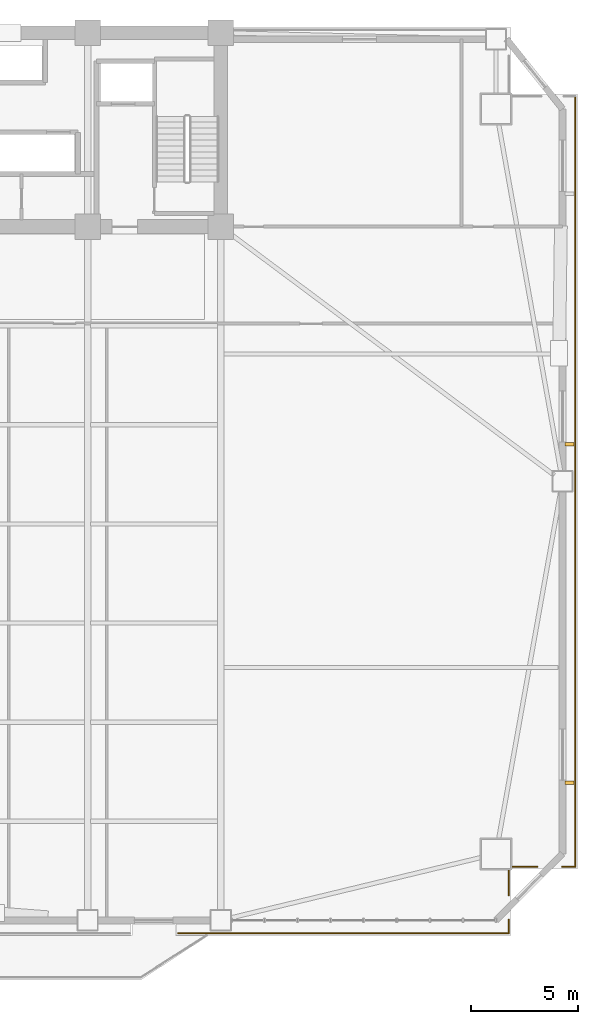
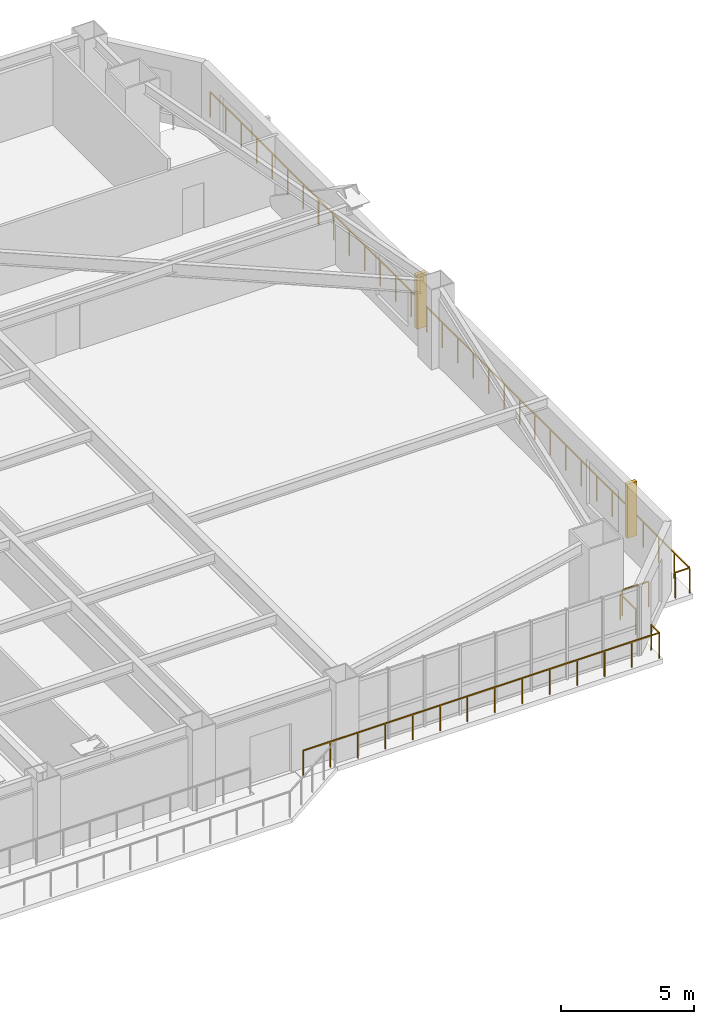
# One storey, part 15 of 18: 6 railings, 2 shading devices.
"""IFC4 building model written with IfcOpenShell, lengths in metres."""

from ifc_helpers import new_model, si_unit, direction, frame, origin, origin_2d, place, context, subcontext, project, spatial, rectangle, extrude, source, transform, mapped, material, type_object, element, save


model = new_model("IFC4")

# Units and contexts
model_context = context("Model", 3, precision=1e-05, world=origin(), true_north=direction((0.0, 1.0)))
body_context = subcontext(model_context, "Body", "Model", "MODEL_VIEW")
ifc_project = project(units=[si_unit("LENGTHUNIT", "METRE"), si_unit("AREAUNIT", "SQUARE_METRE"), si_unit("VOLUMEUNIT", "CUBIC_METRE"), si_unit("PLANEANGLEUNIT", "RADIAN"), si_unit("MASSUNIT", "GRAM", prefix="KILO")], contexts=[model_context])

# Site, building, storey
site_placement = place(None, origin())
site = spatial("IfcSite", under=ifc_project, at=site_placement, CompositionType="ELEMENT")
building_placement = place(site_placement, origin())
building = spatial("IfcBuilding", under=site, at=building_placement, Name="Giltprow Tower", CompositionType="ELEMENT")
storey_placement = place(building_placement, frame((0.0, 0.0, 65.0)))
storey = spatial("IfcBuildingStorey", under=building, at=storey_placement, Name="L16", CompositionType="ELEMENT", Elevation=65.0)

# Railings
ifc_material = material(Name="Anodized bronze", Category="metal")
railing_type = type_object("IfcRailingType", Name="RAIL-BALC-GUARD-1200", PredefinedType="BALUSTRADE", material=ifc_material)
railing_1_placement = place(storey_placement, frame((67.196044921875, 43.577880859375, 0.0)))
element("IfcRailing", 1, at=railing_1_placement, inside=storey, type_object=railing_type, Name="L16 Corner Apron Edge Balustrade 14", PredefinedType="BALUSTRADE", context=body_context, shape_type="SweptSolid", body=[
    extrude(rectangle(XDim=0.048095703125, YDim=0.048095703125, at=origin_2d()), frame((0.0, 0.0, 1.17578125), z_axis=(0.0, -1.0, 0.0), x_axis=(1.0, 0.0, 0.0)), (0.0, 0.0, 1.0), 36.173828125),
    extrude(rectangle(XDim=0.0419921875, YDim=0.0419921875, at=origin_2d()), origin(), (0.0, 0.0, 1.0), 1.15185546875),
    extrude(rectangle(XDim=0.0419921875, YDim=0.0419921875, at=origin_2d()), frame((0.0, -1.1669921875, 0.0)), (0.0, 0.0, 1.0), 1.15185546875),
    extrude(rectangle(XDim=0.0419921875, YDim=0.0419921875, at=origin_2d()), frame((0.0, -2.333740234375, 0.0)), (0.0, 0.0, 1.0), 1.15185546875),
    extrude(rectangle(XDim=0.0419921875, YDim=0.0419921875, at=origin_2d()), frame((0.0, -3.500732421875, 0.0)), (0.0, 0.0, 1.0), 1.15185546875),
    extrude(rectangle(XDim=0.0419921875, YDim=0.0419921875, at=origin_2d()), frame((0.0, -4.66748046875, 0.0)), (0.0, 0.0, 1.0), 1.15185546875),
    extrude(rectangle(XDim=0.0419921875, YDim=0.0419921875, at=origin_2d()), frame((0.0, -5.83447265625, 0.0)), (0.0, 0.0, 1.0), 1.15185546875),
    extrude(rectangle(XDim=0.0419921875, YDim=0.0419921875, at=origin_2d()), frame((0.0, -7.00146484375, 0.0)), (0.0, 0.0, 1.0), 1.15185546875),
    extrude(rectangle(XDim=0.0419921875, YDim=0.0419921875, at=origin_2d()), frame((0.0, -8.168212890625, 0.0)), (0.0, 0.0, 1.0), 1.15185546875),
    extrude(rectangle(XDim=0.0419921875, YDim=0.0419921875, at=origin_2d()), frame((0.0, -9.335205078125, 0.0)), (0.0, 0.0, 1.0), 1.15185546875),
    extrude(rectangle(XDim=0.0419921875, YDim=0.0419921875, at=origin_2d()), frame((0.0, -10.502197265625, 0.0)), (0.0, 0.0, 1.0), 1.15185546875),
    extrude(rectangle(XDim=0.0419921875, YDim=0.0419921875, at=origin_2d()), frame((0.0, -11.6689453125, 0.0)), (0.0, 0.0, 1.0), 1.15185546875),
    extrude(rectangle(XDim=0.0419921875, YDim=0.0419921875, at=origin_2d()), frame((0.0, -12.8359375, 0.0)), (0.0, 0.0, 1.0), 1.15185546875),
    extrude(rectangle(XDim=0.0419921875, YDim=0.0419921875, at=origin_2d()), frame((0.0, -14.002685546875, 0.0)), (0.0, 0.0, 1.0), 1.15185546875),
    extrude(rectangle(XDim=0.0419921875, YDim=0.0419921875, at=origin_2d()), frame((0.0, -15.169677734375, 0.0)), (0.0, 0.0, 1.0), 1.15185546875),
    extrude(rectangle(XDim=0.0419921875, YDim=0.0419921875, at=origin_2d()), frame((0.0, -16.336669921875, 0.0)), (0.0, 0.0, 1.0), 1.15185546875),
    extrude(rectangle(XDim=0.0419921875, YDim=0.0419921875, at=origin_2d()), frame((0.0, -17.50341796875, 0.0)), (0.0, 0.0, 1.0), 1.15185546875),
    extrude(rectangle(XDim=0.0419921875, YDim=0.0419921875, at=origin_2d()), frame((0.0, -18.67041015625, 0.0)), (0.0, 0.0, 1.0), 1.15185546875),
    extrude(rectangle(XDim=0.0419921875, YDim=0.0419921875, at=origin_2d()), frame((0.0, -19.837158203125, 0.0)), (0.0, 0.0, 1.0), 1.15185546875),
    extrude(rectangle(XDim=0.0419921875, YDim=0.0419921875, at=origin_2d()), frame((0.0, -21.004150390625, 0.0)), (0.0, 0.0, 1.0), 1.15185546875),
    extrude(rectangle(XDim=0.0419921875, YDim=0.0419921875, at=origin_2d()), frame((0.0, -22.171142578125, 0.0)), (0.0, 0.0, 1.0), 1.15185546875),
    extrude(rectangle(XDim=0.0419921875, YDim=0.0419921875, at=origin_2d()), frame((0.0, -23.337890625, 0.0)), (0.0, 0.0, 1.0), 1.15185546875),
    extrude(rectangle(XDim=0.0419921875, YDim=0.0419921875, at=origin_2d()), frame((0.0, -24.5048828125, 0.0)), (0.0, 0.0, 1.0), 1.15185546875),
    extrude(rectangle(XDim=0.0419921875, YDim=0.0419921875, at=origin_2d()), frame((0.0, -25.671630859375, 0.0)), (0.0, 0.0, 1.0), 1.15185546875),
    extrude(rectangle(XDim=0.0419921875, YDim=0.0419921875, at=origin_2d()), frame((0.0, -26.838623046875, 0.0)), (0.0, 0.0, 1.0), 1.15185546875),
    extrude(rectangle(XDim=0.0419921875, YDim=0.0419921875, at=origin_2d()), frame((0.0, -28.005615234375, 0.0)), (0.0, 0.0, 1.0), 1.15185546875),
    extrude(rectangle(XDim=0.0419921875, YDim=0.0419921875, at=origin_2d()), frame((0.0, -29.17236328125, 0.0)), (0.0, 0.0, 1.0), 1.15185546875),
    extrude(rectangle(XDim=0.0419921875, YDim=0.0419921875, at=origin_2d()), frame((0.0, -30.33935546875, 0.0)), (0.0, 0.0, 1.0), 1.15185546875),
    extrude(rectangle(XDim=0.0419921875, YDim=0.0419921875, at=origin_2d()), frame((0.0, -31.50634765625, 0.0)), (0.0, 0.0, 1.0), 1.15185546875),
    extrude(rectangle(XDim=0.0419921875, YDim=0.0419921875, at=origin_2d()), frame((0.0, -32.673095703125, 0.0)), (0.0, 0.0, 1.0), 1.15185546875),
    extrude(rectangle(XDim=0.0419921875, YDim=0.0419921875, at=origin_2d()), frame((0.0, -33.840087890625, 0.0)), (0.0, 0.0, 1.0), 1.15185546875),
    extrude(rectangle(XDim=0.0419921875, YDim=0.0419921875, at=origin_2d()), frame((0.0, -35.0068359375, 0.0)), (0.0, 0.0, 1.0), 1.15185546875),
    extrude(rectangle(XDim=0.0419921875, YDim=0.0419921875, at=origin_2d()), frame((0.0, -36.173828125, 0.0)), (0.0, 0.0, 1.0), 1.15185546875),
])
railing_2_placement = place(storey_placement, frame((67.196044921875, 7.404052734375, 0.0)))
element("IfcRailing", 2, at=railing_2_placement, inside=storey, type_object=railing_type, Name="L16 Corner Apron Edge Balustrade 15", PredefinedType="BALUSTRADE", context=body_context, shape_type="SweptSolid", body=[
    extrude(rectangle(XDim=0.048095703125, YDim=0.048095703125, at=origin_2d()), frame((0.0, 0.0, 1.17578125), z_axis=(-1.0, 0.0, 0.0), x_axis=(0.0, -1.0, 0.0)), (0.0, 0.0, 1.0), 0.6201171875),
    extrude(rectangle(XDim=0.0419921875, YDim=0.0419921875, at=origin_2d()), origin(), (0.0, 0.0, 1.0), 1.15185546875),
    extrude(rectangle(XDim=0.0419921875, YDim=0.0419921875, at=origin_2d()), frame((-0.6201171875, 0.0, 0.0)), (0.0, 0.0, 1.0), 1.15185546875),
])
railing_3_placement = place(storey_placement, frame((65.416015625, 7.404052734375, 0.0)))
element("IfcRailing", 3, at=railing_3_placement, inside=storey, type_object=railing_type, Name="L16 Corner Apron Edge Balustrade 16", PredefinedType="BALUSTRADE", context=body_context, shape_type="SweptSolid", body=[
    extrude(rectangle(XDim=0.048095703125, YDim=0.048095703125, at=origin_2d()), frame((0.0, 0.0, 1.17578125), z_axis=(-1.0, 0.0, 0.0), x_axis=(0.0, -1.0, 0.0)), (0.0, 0.0, 1.0), 1.156982421875),
    extrude(rectangle(XDim=0.0419921875, YDim=0.0419921875, at=origin_2d()), origin(), (0.0, 0.0, 1.0), 1.15185546875),
    extrude(rectangle(XDim=0.0419921875, YDim=0.0419921875, at=origin_2d()), frame((-1.156982421875, 0.0, 0.0)), (0.0, 0.0, 1.0), 1.15185546875),
])
railing_4_placement = place(storey_placement, frame((64.073974609375, 7.218994140625, 0.0)))
element("IfcRailing", 4, at=railing_4_placement, inside=storey, type_object=railing_type, Name="L16 Corner Apron Edge Balustrade 17", PredefinedType="BALUSTRADE", context=body_context, shape_type="SweptSolid", body=[
    extrude(rectangle(XDim=0.048095703125, YDim=0.048095703125, at=origin_2d()), frame((0.0, 0.0, 1.17578125), z_axis=(0.0, -1.0, 0.0), x_axis=(1.0, 0.0, 0.0)), (0.0, 0.0, 1.0), 1.156982421875),
    extrude(rectangle(XDim=0.0419921875, YDim=0.0419921875, at=origin_2d()), origin(), (0.0, 0.0, 1.0), 1.15185546875),
    extrude(rectangle(XDim=0.0419921875, YDim=0.0419921875, at=origin_2d()), frame((0.0, -1.156982421875, 0.0)), (0.0, 0.0, 1.0), 1.15185546875),
])
railing_5_placement = place(storey_placement, frame((64.073974609375, 4.902099609375, 0.0)))
element("IfcRailing", 5, at=railing_5_placement, inside=storey, type_object=railing_type, Name="L16 Corner Apron Edge Balustrade 18", PredefinedType="BALUSTRADE", context=body_context, shape_type="SweptSolid", body=[
    extrude(rectangle(XDim=0.048095703125, YDim=0.048095703125, at=origin_2d()), frame((0.0, 0.0, 1.17578125), z_axis=(0.0, -1.0, 0.0), x_axis=(1.0, 0.0, 0.0)), (0.0, 0.0, 1.0), 0.6201171875),
    extrude(rectangle(XDim=0.0419921875, YDim=0.0419921875, at=origin_2d()), origin(), (0.0, 0.0, 1.0), 1.15185546875),
    extrude(rectangle(XDim=0.0419921875, YDim=0.0419921875, at=origin_2d()), frame((0.0, -0.6201171875, 0.0)), (0.0, 0.0, 1.0), 1.15185546875),
])
railing_6_placement = place(storey_placement, frame((64.073974609375, 4.281982421875, 0.0)))
element("IfcRailing", 6, at=railing_6_placement, inside=storey, type_object=railing_type, Name="L16 Corner Apron Edge Balustrade 19", PredefinedType="BALUSTRADE", context=body_context, shape_type="SweptSolid", body=[
    extrude(rectangle(XDim=0.048095703125, YDim=0.048095703125, at=origin_2d()), frame((0.0, 0.0, 1.17578125), z_axis=(-1.0, 0.0, 0.0), x_axis=(0.0, -1.0, 0.0)), (0.0, 0.0, 1.0), 15.52392578125),
    extrude(rectangle(XDim=0.0419921875, YDim=0.0419921875, at=origin_2d()), origin(), (0.0, 0.0, 1.0), 1.15185546875),
    extrude(rectangle(XDim=0.0419921875, YDim=0.0419921875, at=origin_2d()), frame((-1.194091796875, 0.0, 0.0)), (0.0, 0.0, 1.0), 1.15185546875),
    extrude(rectangle(XDim=0.0419921875, YDim=0.0419921875, at=origin_2d()), frame((-2.38818359375, 0.0, 0.0)), (0.0, 0.0, 1.0), 1.15185546875),
    extrude(rectangle(XDim=0.0419921875, YDim=0.0419921875, at=origin_2d()), frame((-3.58251953125, 0.0, 0.0)), (0.0, 0.0, 1.0), 1.15185546875),
    extrude(rectangle(XDim=0.0419921875, YDim=0.0419921875, at=origin_2d()), frame((-4.776611328125, 0.0, 0.0)), (0.0, 0.0, 1.0), 1.15185546875),
    extrude(rectangle(XDim=0.0419921875, YDim=0.0419921875, at=origin_2d()), frame((-5.970703125, 0.0, 0.0)), (0.0, 0.0, 1.0), 1.15185546875),
    extrude(rectangle(XDim=0.0419921875, YDim=0.0419921875, at=origin_2d()), frame((-7.164794921875, 0.0, 0.0)), (0.0, 0.0, 1.0), 1.15185546875),
    extrude(rectangle(XDim=0.0419921875, YDim=0.0419921875, at=origin_2d()), frame((-8.359130859375, 0.0, 0.0)), (0.0, 0.0, 1.0), 1.15185546875),
    extrude(rectangle(XDim=0.0419921875, YDim=0.0419921875, at=origin_2d()), frame((-9.55322265625, 0.0, 0.0)), (0.0, 0.0, 1.0), 1.15185546875),
    extrude(rectangle(XDim=0.0419921875, YDim=0.0419921875, at=origin_2d()), frame((-10.747314453125, 0.0, 0.0)), (0.0, 0.0, 1.0), 1.15185546875),
    extrude(rectangle(XDim=0.0419921875, YDim=0.0419921875, at=origin_2d()), frame((-11.94140625, 0.0, 0.0)), (0.0, 0.0, 1.0), 1.15185546875),
    extrude(rectangle(XDim=0.0419921875, YDim=0.0419921875, at=origin_2d()), frame((-13.1357421875, 0.0, 0.0)), (0.0, 0.0, 1.0), 1.15185546875),
    extrude(rectangle(XDim=0.0419921875, YDim=0.0419921875, at=origin_2d()), frame((-14.329833984375, 0.0, 0.0)), (0.0, 0.0, 1.0), 1.15185546875),
    extrude(rectangle(XDim=0.0419921875, YDim=0.0419921875, at=origin_2d()), frame((-15.52392578125, 0.0, 0.0)), (0.0, 0.0, 1.0), 1.15185546875),
])

# Shading devices
shading_device_type = type_object("IfcShadingDeviceType", Name="SHD-FIN-420", PredefinedType="USERDEFINED", material=ifc_material)
shared_shape = source(origin(), body_context, "Body", "SweptSolid", [
    extrude(rectangle(XDim=0.419921875, YDim=0.159912109375, at=origin_2d()), origin(), (0.0, 0.0, 1.0), 2.5),
])
for number, where, z_axis, x_axis, name in (
    (7, (66.916015625, 11.341064453125, 0.35009765625), (0.0, 0.0, 1.0), (1.0, 0.0, 0.0), "L16 E Bronze Vertical Fin 1-1"),
    (8, (66.916015625, 27.22412109375, 0.35009765625), (0.0, 0.0, 1.0), (1.0, 0.0, 0.0), "L16 E Bronze Vertical Fin 2-1"),
):
    element("IfcShadingDevice", number, at=place(storey_placement, frame(where, z_axis=z_axis, x_axis=x_axis)), inside=storey, type_object=shading_device_type, Name=name, ObjectType="FIN", PredefinedType="USERDEFINED", context=body_context, shape_type="MappedRepresentation", body=[
        mapped(shared_shape, transform((0.0, 0.0, 0.0), x_axis=(1.0, 0.0, 0.0), y_axis=(0.0, 1.0, 0.0), z_axis=(0.0, 0.0, 1.0), scale=1.0)),
    ])

save(model, "model.ifc")
